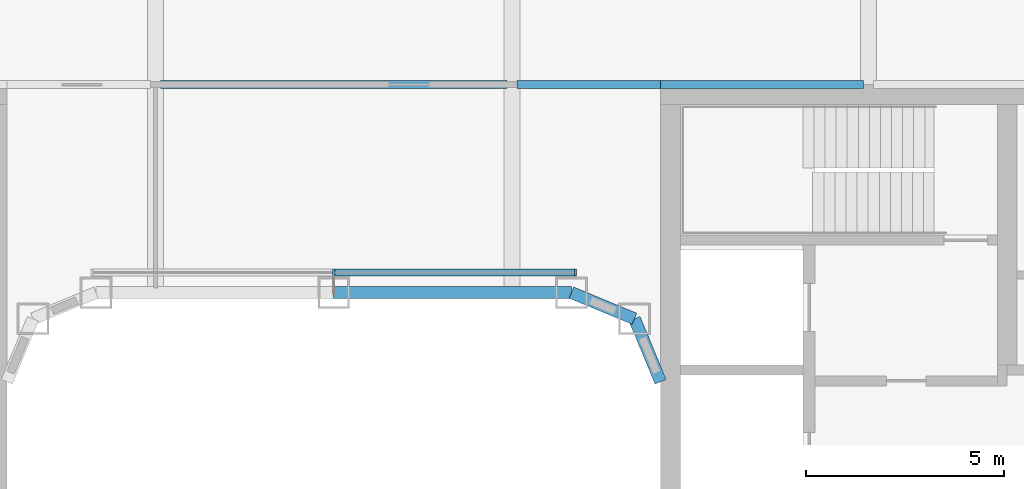
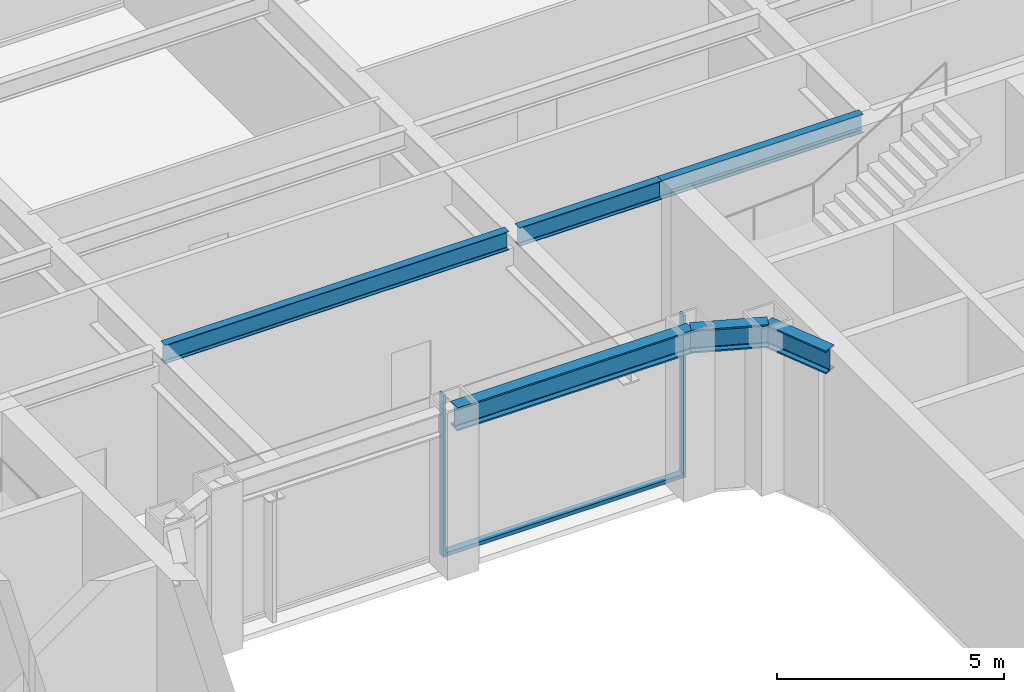
# One storey, part 8 of 28: 6 beams, 3 members, 1 element without a shape of its own.
"""IFC4 building model written with IfcOpenShell, lengths in metres."""

import ifcopenshell
import ifcopenshell.guid

model = None  # the IFC model being written
_history = None  # IfcOwnerHistory: only IFC2X3 demands one
_inside = {}  # id of a spatial element -> (the spatial element, [elements in it])
_under = {}  # id of a project, library or spatial element -> (it, [spatial elements below it])
_declared = {}  # id of a project -> (the project, [libraries it declares])
_typed = {}  # id of a type object -> (the type object, [elements of that type])
_made_of = {}  # id of a material, layer set ... -> (it, [elements and type objects made of it])


def new_model(schema):
    """Start an empty IFC model of exactly this schema.

    Asked for "IFC4X3", IfcOpenShell would pick the latest addendum, in which some entities
    have other attributes; the version numbers below select the first issue.
    IFC2X3 requires an IfcOwnerHistory on every rooted entity: one is made here for all.
    """
    global model, _history
    if schema == "IFC4X3":
        model = ifcopenshell.file(schema_version=(4, 3, 0, 0))
    else:
        model = ifcopenshell.file(schema=schema)
    _inside.clear()
    _under.clear()
    _declared.clear()
    _typed.clear()
    _made_of.clear()
    _history = None
    if model.schema == "IFC2X3":
        org = make("IfcOrganization", Name="unknown")
        user = make(
            "IfcPersonAndOrganization",
            ThePerson=make("IfcPerson", FamilyName="unknown"),
            TheOrganization=org,
        )
        app = make(
            "IfcApplication",
            ApplicationDeveloper=org,
            Version="unknown",
            ApplicationFullName="unknown",
            ApplicationIdentifier="unknown",
        )
        _history = make(
            "IfcOwnerHistory",
            OwningUser=user,
            OwningApplication=app,
            ChangeAction="ADDED",
            CreationDate=0,
        )
    return model


def make(cls, **values):
    """One entity of the class cls with the attributes given. An attribute that is None is left unset."""
    return model.create_entity(
        cls, **{name: value for name, value in values.items() if value is not None}
    )


def rooted(cls, **values):
    """An entity with a GlobalId (a new one), such as an element, a storey or a relation."""
    return make(cls, GlobalId=ifcopenshell.guid.new(), OwnerHistory=_history, **values)


def si_unit(unit_type, name, prefix=None):
    """IfcSIUnit, for example si_unit("LENGTHUNIT", "METRE", prefix="MILLI")."""
    return make("IfcSIUnit", UnitType=unit_type, Prefix=prefix, Name=name)


def assignment(units):
    """IfcUnitAssignment: the units of a project."""
    return None if units is None else make("IfcUnitAssignment", Units=units)


def point(xyz):
    """IfcCartesianPoint."""
    return None if xyz is None else make("IfcCartesianPoint", Coordinates=xyz)


def direction(xyz):
    """IfcDirection."""
    return None if xyz is None else make("IfcDirection", DirectionRatios=xyz)


def frame(location, z_axis=None, x_axis=None):
    """IfcAxis2Placement3D, a coordinate frame: its origin and axes. An axis left out is left unset."""
    return make(
        "IfcAxis2Placement3D",
        Location=point(location),
        Axis=direction(z_axis),
        RefDirection=direction(x_axis),
    )


def frame_2d(location, x_axis=None):
    """IfcAxis2Placement2D, a coordinate frame in the plane: its origin and x axis."""
    return make(
        "IfcAxis2Placement2D", Location=point(location), RefDirection=direction(x_axis)
    )


def origin():
    """The frame at (0, 0, 0) with its axes left unset."""
    return frame((0.0, 0.0, 0.0))


def origin_2d():
    """The frame at (0, 0) in the plane with its x axis left unset."""
    return frame_2d((0.0, 0.0))


def place(relative_to, where):
    """IfcLocalPlacement: puts the frame where relative to a parent placement (None: the world)."""
    return make(
        "IfcLocalPlacement", PlacementRelTo=relative_to, RelativePlacement=where
    )


def context(
    kind, dimensions, precision=None, world=None, true_north=None, identifier=None
):
    """IfcGeometricRepresentationContext, for example the 3D "Model" context."""
    return make(
        "IfcGeometricRepresentationContext",
        ContextIdentifier=identifier,
        ContextType=kind,
        CoordinateSpaceDimension=dimensions,
        Precision=precision,
        WorldCoordinateSystem=world,
        TrueNorth=true_north,
    )


def subcontext(parent, identifier, kind, view, scale=None):
    """IfcGeometricRepresentationSubContext, for example "Body" below "Model"."""
    return make(
        "IfcGeometricRepresentationSubContext",
        ContextIdentifier=identifier,
        ContextType=kind,
        ParentContext=parent,
        TargetScale=scale,
        TargetView=view,
    )


def project(units=None, contexts=None):
    """IfcProject with its units and contexts."""
    return rooted(
        "IfcProject",
        Name="project",
        RepresentationContexts=contexts,
        UnitsInContext=assignment(units),
    )


def spatial(cls, under=None, at=None, **own):
    """A site, building, storey or space (cls), placed at a placement, below another one or the project."""
    s = rooted(cls, ObjectPlacement=at, **own)
    if under is not None:
        _under.setdefault(under.id(), (under, []))[1].append(s)
    return s


def profile(cls, at=None, kind="AREA", **sizes):
    """A parametric profile (cls). Its sizes go by their IFC names, for example OverallWidth=200.0."""
    return make(cls, ProfileType=kind, Position=at, **sizes)


def rectangle(**sizes):
    """IfcRectangleProfileDef."""
    return profile("IfcRectangleProfileDef", **sizes)


def i_section(**sizes):
    """IfcIShapeProfileDef."""
    return profile("IfcIShapeProfileDef", **sizes)


def extrude(swept, where, along, depth):
    """IfcExtrudedAreaSolid: the profile swept, set in the frame where, extruded along a direction by depth."""
    return make(
        "IfcExtrudedAreaSolid",
        SweptArea=swept,
        Position=where,
        ExtrudedDirection=direction(along),
        Depth=depth,
    )


def shape(context_of_items, identifier, shape_type, items):
    """IfcShapeRepresentation: the items that make up one representation, for example the "Body"."""
    return make(
        "IfcShapeRepresentation",
        ContextOfItems=context_of_items,
        RepresentationIdentifier=identifier,
        RepresentationType=shape_type,
        Items=items,
    )


def material(Name=None, Category=None):
    """IfcMaterial."""
    return make("IfcMaterial", Name=Name, Category=Category)


def layer(
    of_material, thickness, ventilated=None, Name=None, Category=None, Priority=None
):
    """IfcMaterialLayer: one layer of a wall or slab, of a material (None: an air gap)."""
    return make(
        "IfcMaterialLayer",
        Material=of_material,
        LayerThickness=thickness,
        IsVentilated=ventilated,
        Name=Name,
        Category=Category,
        Priority=Priority,
    )


def layer_set(layers, Name=None):
    """IfcMaterialLayerSet."""
    return make("IfcMaterialLayerSet", MaterialLayers=layers, LayerSetName=Name)


def material_profile(
    of_material, cross_section, Name=None, Category=None, Priority=None
):
    """IfcMaterialProfile: a cross section and its material."""
    return make(
        "IfcMaterialProfile",
        Name=Name,
        Material=of_material,
        Profile=cross_section,
        Priority=Priority,
        Category=Category,
    )


def profile_set(profiles, Name=None, composite=None):
    """IfcMaterialProfileSet."""
    return make(
        "IfcMaterialProfileSet",
        Name=Name,
        MaterialProfiles=profiles,
        CompositeProfile=composite,
    )


def made_of(thing, what):
    """Note that an element or type object is made of a material, layer set ...; save() writes the relation."""
    if what is not None:
        _made_of.setdefault(what.id(), (what, []))[1].append(thing)
    return thing


def type_object(cls, material=None, **own):
    """A type object (cls), such as IfcWallType, which elements share."""
    return made_of(rooted(cls, **own), material)


def element(
    cls,
    number,
    at=None,
    inside=None,
    cuts=None,
    type_object=None,
    material=None,
    context=None,
    identifier="Body",
    shape_type=None,
    held_by="IfcProductDefinitionShape",
    body=None,
    shapes=None,
    **own,
):
    """One element of the class cls, such as IfcWall. Its Tag is "e" and its number.

    at: its placement. inside: the storey or other place that contains it. cuts: it is an
    opening in that element (IfcRelVoidsElement). A single representation is given by context,
    identifier, shape_type and body (its items); several are given by shapes. held_by: the class
    of the entity that holds the representations. save() writes the other relations.
    """
    e = rooted(cls, Tag="e%d" % number, ObjectPlacement=at, **own)
    if body is not None:
        shapes = [shape(context, identifier, shape_type, body)]
    if shapes is not None:
        e.Representation = make(held_by, Representations=shapes)
    if inside is not None:
        _inside.setdefault(inside.id(), (inside, []))[1].append(e)
    if cuts is not None:
        rooted(
            "IfcRelVoidsElement", RelatingBuildingElement=cuts, RelatedOpeningElement=e
        )
    if type_object is not None:
        _typed.setdefault(type_object.id(), (type_object, []))[1].append(e)
    return made_of(e, material)


def aggregate(whole, parts):
    """IfcRelAggregates: a whole, such as a stair, and the parts it consists of."""
    return rooted("IfcRelAggregates", RelatingObject=whole, RelatedObjects=parts)


def save(model, path):
    """Write the relations noted so far, then the file.

    IfcRelAggregates (storeys below a building ...), IfcRelContainedInSpatialStructure (elements
    in a storey), IfcRelDefinesByType, IfcRelAssociatesMaterial and IfcRelDeclares: one each for
    every whole, place, type object, material and project.
    """
    for whole, parts in _under.values():
        aggregate(whole, parts)
    for where, things in _inside.values():
        rooted(
            "IfcRelContainedInSpatialStructure",
            RelatedElements=things,
            RelatingStructure=where,
        )
    for kind, things in _typed.values():
        rooted("IfcRelDefinesByType", RelatedObjects=things, RelatingType=kind)
    for what, things in _made_of.values():
        rooted("IfcRelAssociatesMaterial", RelatedObjects=things, RelatingMaterial=what)
    for by, libraries in _declared.values():
        rooted("IfcRelDeclares", RelatingContext=by, RelatedDefinitions=libraries)
    model.write(path)


model = new_model("IFC4")

# Units and contexts
model_context = context("Model", 3, precision=1e-05, world=origin(), true_north=direction((0.0, 1.0)))
body_context = subcontext(model_context, "Body", "Model", "MODEL_VIEW")
ifc_project = project(units=[si_unit("LENGTHUNIT", "METRE"), si_unit("AREAUNIT", "SQUARE_METRE"), si_unit("VOLUMEUNIT", "CUBIC_METRE"), si_unit("PLANEANGLEUNIT", "RADIAN"), si_unit("MASSUNIT", "GRAM", prefix="KILO")], contexts=[model_context])

# Site, building, storey
site_placement = place(None, origin())
site = spatial("IfcSite", under=ifc_project, at=site_placement, CompositionType="ELEMENT")
building_placement = place(site_placement, origin())
building = spatial("IfcBuilding", under=site, at=building_placement, Name="Siwar Civic Tower", CompositionType="ELEMENT")
storey_placement = place(building_placement, frame((0.0, 0.0, 31.199951171875)))
storey = spatial("IfcBuildingStorey", under=building, at=storey_placement, Name="L06", CompositionType="ELEMENT", Elevation=31.199951171875)

# Curtain wall, members
ifc_material_1 = material(Name="Aluminium and glass", Category="aluminium")
ifc_layer = layer(ifc_material_1, 0.179931640625)
ifc_layer_set = layer_set([ifc_layer], Name="Aluminium and glass")
curtain_wall_type = type_object("IfcCurtainWallType", Name="ENV-CW-W", PredefinedType="NOTDEFINED", material=ifc_layer_set)
curtain_wall_placement = place(storey_placement, origin())
curtain_wall = element("IfcCurtainWall", 1, at=curtain_wall_placement, inside=storey, type_object=curtain_wall_type, Name="Curtain wall W WN", PredefinedType="NOTDEFINED")
ifc_material_2 = material(Name="Aluminium 6063-T6", Category="aluminium")
ifc_material_profile_1 = material_profile(ifc_material_2, rectangle(XDim=0.179931640625, YDim=0.06005859375, at=origin_2d()), Name="AL 180x60")
ifc_profile_set_1 = profile_set([ifc_material_profile_1], Name="Aluminium 6063-T6")
member_type_1 = type_object("IfcMemberType", Name="ENV-MULLION-W", PredefinedType="MULLION", material=ifc_profile_set_1)
member_1_placement = place(storey_placement, frame((6.1015625, 8.760009765625, 0.0), z_axis=(0.0, 0.0, 1.0), x_axis=(0.0, -1.0, 0.0)))
member_1 = element("IfcMember", 2, at=member_1_placement, type_object=member_type_1, Name="Mullion W WN 1", PredefinedType="MULLION", context=body_context, shape_type="SweptSolid", body=[
    extrude(rectangle(XDim=0.179931640625, YDim=0.06005859375, at=origin_2d()), origin(), (0.0, 0.0, 1.0), 4.35009765625),
])
member_2_placement = place(storey_placement, frame((0.0, 8.760009765625, 0.0), z_axis=(0.0, 0.0, 1.0), x_axis=(0.0, -1.0, 0.0)))
member_2 = element("IfcMember", 3, at=member_2_placement, type_object=member_type_1, Name="Mullion W WN 2", PredefinedType="MULLION", context=body_context, shape_type="SweptSolid", body=[
    extrude(rectangle(XDim=0.179931640625, YDim=0.06005859375, at=origin_2d()), origin(), (0.0, 0.0, 1.0), 4.35009765625),
])
ifc_material_3 = material(Name="Aluminium 6063-T6", Category="aluminium")
ifc_material_profile_2 = material_profile(ifc_material_3, rectangle(XDim=0.179931640625, YDim=0.10009765625, at=origin_2d()), Name="AL 180x100")
ifc_profile_set_2 = profile_set([ifc_material_profile_2], Name="Aluminium 6063-T6")
member_type_2 = type_object("IfcMemberType", Name="ENV-TRANSOM-W", PredefinedType="USERDEFINED", material=ifc_profile_set_2)
member_3_placement = place(storey_placement, frame((6.071533203125, 8.760009765625, 0.050048828125), z_axis=(-1.0, 0.0, 0.0), x_axis=(0.0, -1.0, 0.0)))
member_3 = element("IfcMember", 4, at=member_3_placement, type_object=member_type_2, Name="Transom W WN 1", ObjectType="TRANSOM", PredefinedType="USERDEFINED", context=body_context, shape_type="SweptSolid", body=[
    extrude(rectangle(XDim=0.179931640625, YDim=0.10009765625, at=origin_2d()), origin(), (0.0, 0.0, 1.0), 6.04150390625),
])
aggregate(curtain_wall, [member_1, member_2, member_3])

# Beams
ifc_material_4 = material(Name="Steel S355", Category="steel")
ifc_material_profile_3 = material_profile(ifc_material_4, i_section(OverallWidth=0.199951171875, OverallDepth=0.5, WebThickness=0.01025390625, FlangeThickness=0.01611328125, FilletRadius=0.02099609375, at=origin_2d()), Name="IPE500")
ifc_profile_set_3 = profile_set([ifc_material_profile_3], Name="Steel S355")
beam_type_1 = type_object("IfcBeamType", Name="STR-FB-IPE500", PredefinedType="JOIST", material=ifc_profile_set_3)
beam_1_placement = place(storey_placement, frame((-4.3701171875, 13.5, 4.10009765625), z_axis=(1.0, 0.0, 0.0), x_axis=(0.0, 1.0, 0.0)))
element("IfcBeam", 5, at=beam_1_placement, inside=storey, type_object=beam_type_1, Name="L06/bm/F041", PredefinedType="JOIST", context=body_context, shape_type="SweptSolid", body=[
    extrude(i_section(OverallWidth=0.199951171875, OverallDepth=0.5, WebThickness=0.01025390625, FlangeThickness=0.01611328125, FilletRadius=0.02099609375, at=origin_2d()), origin(), (0.0, 0.0, 1.0), 8.740234375),
])
beam_2_placement = place(storey_placement, frame((4.6298828125, 13.5, 4.10009765625), z_axis=(1.0, 0.0, 0.0), x_axis=(0.0, 1.0, 0.0)))
element("IfcBeam", 6, at=beam_2_placement, inside=storey, type_object=beam_type_1, Name="L06/bm/F042", PredefinedType="JOIST", context=body_context, shape_type="SweptSolid", body=[
    extrude(i_section(OverallWidth=0.199951171875, OverallDepth=0.5, WebThickness=0.01025390625, FlangeThickness=0.01611328125, FilletRadius=0.02099609375, at=origin_2d()), origin(), (0.0, 0.0, 1.0), 3.6201171875),
])
beam_3_placement = place(storey_placement, frame((8.25, 13.5, 4.10009765625), z_axis=(1.0, 0.0, 0.0), x_axis=(0.0, 1.0, 0.0)))
element("IfcBeam", 7, at=beam_3_placement, inside=storey, type_object=beam_type_1, Name="L06/bm/F043", PredefinedType="JOIST", context=body_context, shape_type="SweptSolid", body=[
    extrude(i_section(OverallWidth=0.199951171875, OverallDepth=0.5, WebThickness=0.01025390625, FlangeThickness=0.01611328125, FilletRadius=0.02099609375, at=origin_2d()), origin(), (0.0, 0.0, 1.0), 5.1201171875),
])
ifc_material_5 = material(Name="Steel S355", Category="steel")
ifc_material_profile_4 = material_profile(ifc_material_5, i_section(OverallWidth=0.304931640625, OverallDepth=0.6201171875, WebThickness=0.02099609375, FlangeThickness=0.0400390625, FilletRadius=0.027099609375, at=origin_2d()), Name="HEM600")
ifc_profile_set_4 = profile_set([ifc_material_profile_4], Name="Steel S355")
beam_type_2 = type_object("IfcBeamType", Name="STR-RB-HEM600", PredefinedType="BEAM", material=ifc_profile_set_4)
beam_4_placement = place(storey_placement, frame((0.0, 8.25, 4.0400390625), z_axis=(1.0, 0.0, 0.0), x_axis=(0.0, 1.0, 0.0)))
element("IfcBeam", 8, at=beam_4_placement, inside=storey, type_object=beam_type_2, Name="L06/bm/RN2", PredefinedType="BEAM", context=body_context, shape_type="SweptSolid", body=[
    extrude(i_section(OverallWidth=0.304931640625, OverallDepth=0.6201171875, WebThickness=0.02099609375, FlangeThickness=0.0400390625, FilletRadius=0.027099609375, at=origin_2d()), origin(), (0.0, 0.0, 1.0), 6.0),
])
for number, where, z_axis, x_axis, name in (
    (9, (6.0, 8.25, 4.0400390625), (0.923901072997, -0.382631424892, 0.0), (0.382631424892, 0.923901072997, 0.0), "L06/bm/RN3"),
    (10, (7.591064453125, 7.591064453125, 4.0400390625), (0.382631424892, -0.923901072997, 0.0), (0.923901072997, 0.382631424892, 0.0), "L06/bm/RNEE"),
):
    element("IfcBeam", number, at=place(storey_placement, frame(where, z_axis=z_axis, x_axis=x_axis)), inside=storey, type_object=beam_type_2, Name=name, PredefinedType="BEAM", context=body_context, shape_type="SweptSolid", body=[
        extrude(i_section(OverallWidth=0.304931640625, OverallDepth=0.6201171875, WebThickness=0.02099609375, FlangeThickness=0.0400390625, FilletRadius=0.027099609375, at=origin_2d()), origin(), (0.0, 0.0, 1.0), 1.72216796875),
    ])

save(model, "model.ifc")
